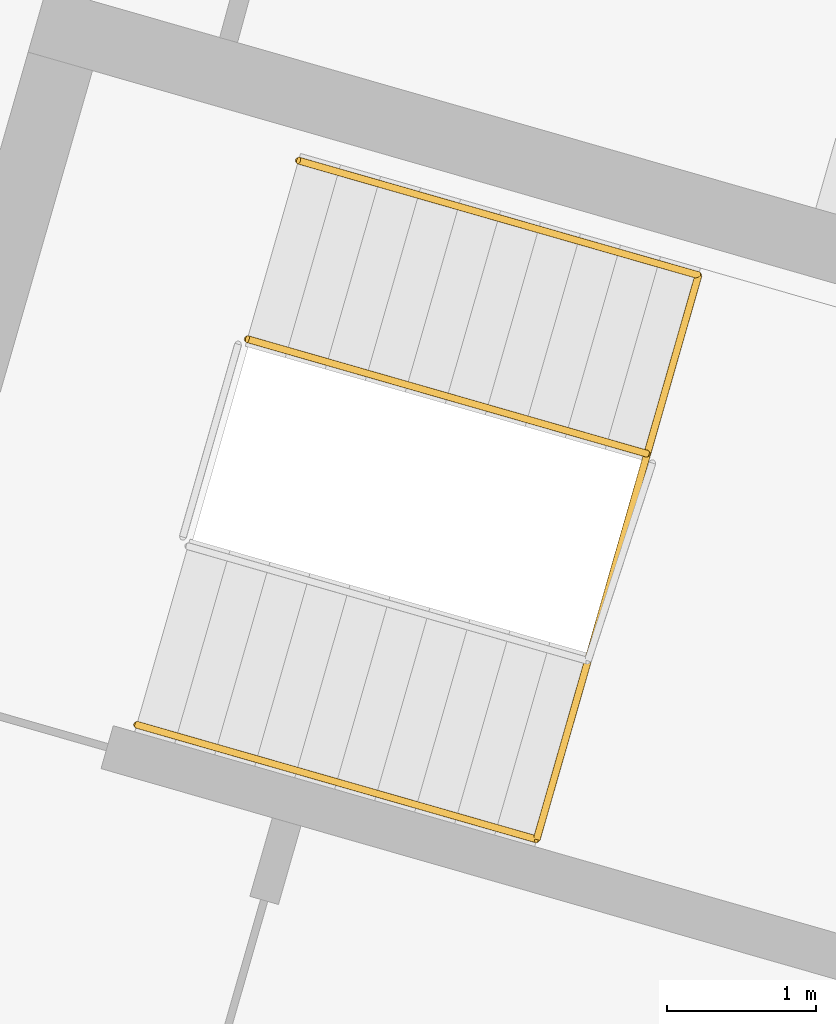
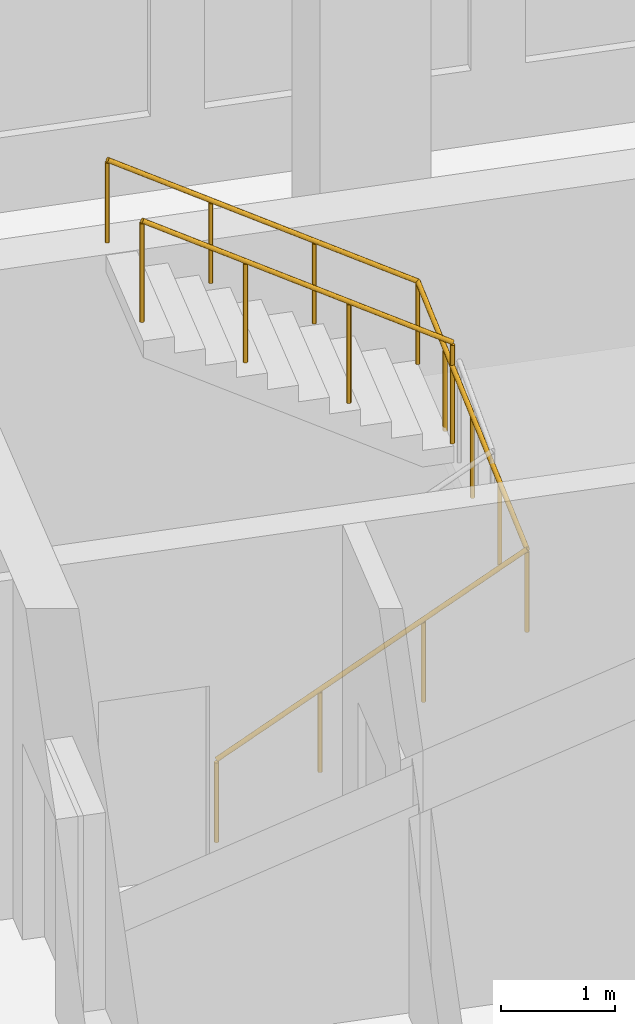
# One storey, part 10 of 11: 2 railings.
"""IFC4 building model written with IfcOpenShell, lengths in metres."""

from ifc_helpers import new_model, si_unit, direction, frame, origin, origin_2d, place, context, subcontext, project, spatial, circle, extrude, material, type_object, element, save


model = new_model("IFC4")

# Units and contexts
model_context = context("Model", 3, precision=1e-05, world=origin(), true_north=direction((0.0, 1.0)))
body_context = subcontext(model_context, "Body", "Model", "MODEL_VIEW")
ifc_project = project(units=[si_unit("LENGTHUNIT", "METRE"), si_unit("AREAUNIT", "SQUARE_METRE"), si_unit("VOLUMEUNIT", "CUBIC_METRE"), si_unit("PLANEANGLEUNIT", "RADIAN"), si_unit("MASSUNIT", "GRAM", prefix="KILO")], contexts=[model_context])

# Site, building, storey
site_placement = place(None, origin())
site = spatial("IfcSite", under=ifc_project, at=site_placement, CompositionType="ELEMENT")
building_placement = place(site_placement, origin())
building = spatial("IfcBuilding", under=site, at=building_placement, Name="Binnacle Exchange Tower", CompositionType="ELEMENT")
storey_placement = place(building_placement, frame((0.0, 0.0, 219.199951171875)))
storey = spatial("IfcBuildingStorey", under=building, at=storey_placement, Name="L48", CompositionType="ELEMENT", Elevation=219.199951171875)

# Railings
ifc_material_1 = material(Name="Steel guard rail", Category="steel")
railing_type_1 = type_object("IfcRailingType", Name="STAIR GUARD 1100", PredefinedType="GUARDRAIL", material=ifc_material_1)
railing_1_placement = place(storey_placement, frame((24.177734375, 57.332275390625, 2.12744140625)))
element("IfcRailing", 1, at=railing_1_placement, inside=storey, type_object=railing_type_1, Name="L48 STD1 stair guard 2", PredefinedType="GUARDRAIL", context=body_context, shape_type="SweptSolid", body=[
    extrude(circle(Radius=0.02392578125, at=origin_2d()), frame((0.0, 0.0, 1.076171875), z_axis=(-0.81215085225, 0.232948203448, 0.534926282491), x_axis=(-0.275711388614, -0.96124046429, 0.0)), (0.0, 0.0, 1.0), 3.31396484375),
    extrude(circle(Radius=0.02099609375, at=origin_2d()), origin(), (0.0, 0.0, 1.0), 1.052001953125),
    extrude(circle(Radius=0.02099609375, at=origin_2d()), frame((-0.897216796875, 0.25732421875, 0.5908203125)), (0.0, 0.0, 1.0), 1.052001953125),
    extrude(circle(Radius=0.02099609375, at=origin_2d()), frame((-1.794189453125, 0.5146484375, 1.181884765625)), (0.0, 0.0, 1.0), 1.052001953125),
    extrude(circle(Radius=0.02099609375, at=origin_2d()), frame((-2.69140625, 0.77197265625, 1.772705078125)), (0.0, 0.0, 1.0), 1.052001953125),
])
ifc_material_2 = material(Name="Steel handrail", Category="steel")
railing_type_2 = type_object("IfcRailingType", Name="STAIR HANDRAIL 900", PredefinedType="HANDRAIL", material=ifc_material_2)
railing_2_placement = place(storey_placement, frame((20.7421875, 55.5087890625, 0.17724609375)))
element("IfcRailing", 2, at=railing_2_placement, inside=storey, type_object=railing_type_2, Name="L48 STD1 stair handrail 1", PredefinedType="HANDRAIL", context=body_context, shape_type="SweptSolid", body=[
    extrude(circle(Radius=0.02392578125, at=origin_2d()), frame((0.0, 0.0, 0.8759765625), z_axis=(0.812164788183, -0.232878528252, 0.534935461448), x_axis=(0.275630818758, 0.961263570386, 0.0)), (0.0, 0.0, 1.0), 3.31396484375),
    extrude(circle(Radius=0.02392578125, at=origin_2d()), frame((2.69140625, -0.771728515625, 2.6484375), z_axis=(0.27539006586, 0.96028392472, 0.044889815668), x_axis=(-0.961252921364, 0.275667954558, 0.0)), (0.0, 0.0, 1.0), 3.953857421875),
    extrude(circle(Radius=0.02392578125, at=origin_2d()), frame((3.7802734375, 3.025146484375, 2.826171875), z_axis=(-0.812189863168, 0.232864594782, 0.534903455461), x_axis=(-0.27560771734, -0.96127019414, 0.0)), (0.0, 0.0, 1.0), 3.31396484375),
    extrude(circle(Radius=0.02099609375, at=origin_2d()), origin(), (0.0, 0.0, 1.0), 0.851806640625),
    extrude(circle(Radius=0.02099609375, at=origin_2d()), frame((0.897216796875, -0.25732421875, 0.5908203125)), (0.0, 0.0, 1.0), 0.851806640625),
    extrude(circle(Radius=0.02099609375, at=origin_2d()), frame((1.794189453125, -0.514404296875, 1.181884765625)), (0.0, 0.0, 1.0), 0.851806640625),
    extrude(circle(Radius=0.02099609375, at=origin_2d()), frame((2.69140625, -0.771728515625, 1.772705078125)), (0.0, 0.0, 1.0), 0.851806640625),
    extrude(circle(Radius=0.02099609375, at=origin_2d()), frame((2.963623046875, 0.177490234375, 1.817138671875)), (0.0, 0.0, 1.0), 0.851806640625),
    extrude(circle(Radius=0.02099609375, at=origin_2d()), frame((3.23583984375, 1.126708984375, 1.861328125)), (0.0, 0.0, 1.0), 0.851806640625),
    extrude(circle(Radius=0.02099609375, at=origin_2d()), frame((3.508056640625, 2.075927734375, 1.90576171875)), (0.0, 0.0, 1.0), 0.851806640625),
    extrude(circle(Radius=0.02099609375, at=origin_2d()), frame((3.7802734375, 3.025146484375, 1.9501953125)), (0.0, 0.0, 1.0), 0.851806640625),
    extrude(circle(Radius=0.02099609375, at=origin_2d()), frame((2.883056640625, 3.282470703125, 2.541015625)), (0.0, 0.0, 1.0), 0.851806640625),
    extrude(circle(Radius=0.02099609375, at=origin_2d()), frame((1.98583984375, 3.53955078125, 3.132080078125)), (0.0, 0.0, 1.0), 0.851806640625),
    extrude(circle(Radius=0.02099609375, at=origin_2d()), frame((1.088623046875, 3.796875, 3.722900390625)), (0.0, 0.0, 1.0), 0.851806640625),
])

save(model, "model.ifc")
